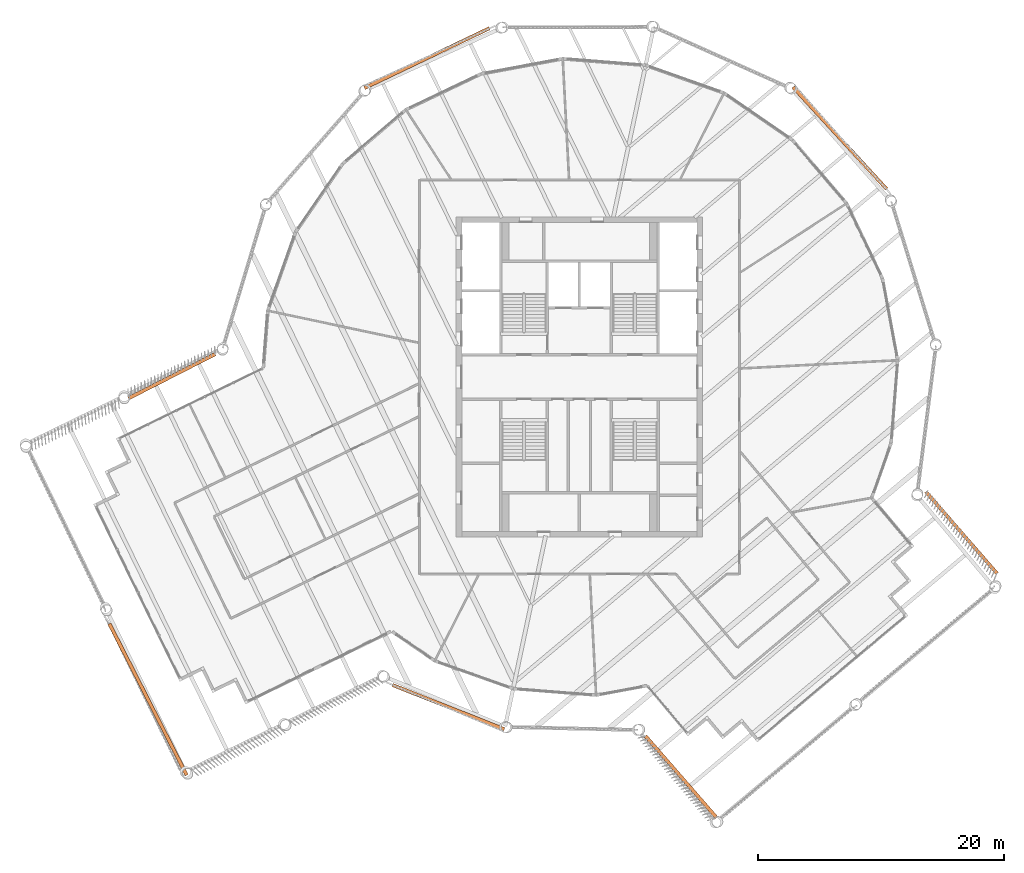
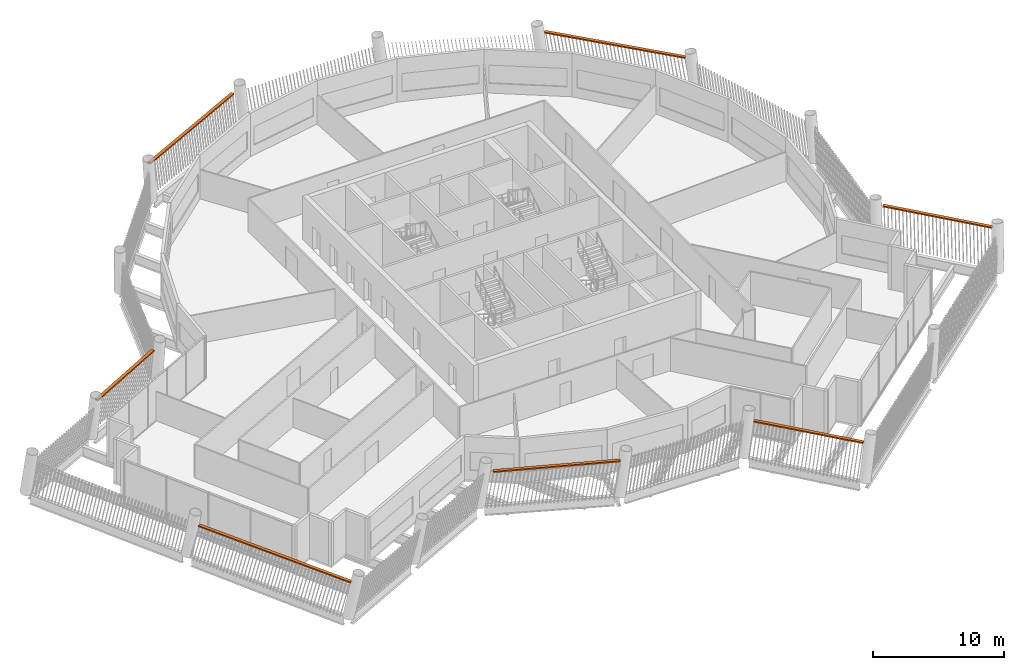
# One storey, part 31 of 31: 7 proxies.
"""IFC4 building model written with IfcOpenShell, lengths in metres."""

from ifc_helpers import new_model, si_unit, direction, frame, origin, origin_2d, place, context, subcontext, project, spatial, rectangle, extrude, material, type_object, element, save


model = new_model("IFC4")

# Units and contexts
model_context = context("Model", 3, precision=1e-05, world=origin(), true_north=direction((0.0, 1.0)))
body_context = subcontext(model_context, "Body", "Model", "MODEL_VIEW")
ifc_project = project(units=[si_unit("LENGTHUNIT", "METRE"), si_unit("AREAUNIT", "SQUARE_METRE"), si_unit("VOLUMEUNIT", "CUBIC_METRE"), si_unit("PLANEANGLEUNIT", "RADIAN"), si_unit("MASSUNIT", "GRAM", prefix="KILO")], contexts=[model_context])

# Site, building, storey
site_placement = place(None, origin())
site = spatial("IfcSite", under=ifc_project, at=site_placement, CompositionType="ELEMENT")
building_placement = place(site_placement, origin())
building = spatial("IfcBuilding", under=site, at=building_placement, Name="Tarsis Ring Headquarters", CompositionType="ELEMENT")
storey_placement = place(building_placement, frame((0.0, 0.0, 390.199951171875)))
storey = spatial("IfcBuildingStorey", under=building, at=storey_placement, Name="L92", CompositionType="ELEMENT", Elevation=390.199951171875)

# Proxies
ifc_material = material(Name="Structural steel S355", Category="steel")
building_element_proxy_type = type_object("IfcBuildingElementProxyType", Name="Screen bracket plate", PredefinedType="USERDEFINED", material=ifc_material)
for number, where, z_axis, x_axis, name in (
    (1, (8.24609375, -32.460693359375, 3.280517578125), (0.0, 0.0, 1.0), (0.656585768917, -0.754251369277, 0.0), "Screen bracket L92-01"),
    (2, (31.014892578125, -12.64013671875, 3.280517578125), (0.0, 0.0, 1.0), (-0.656585729425, 0.754251403655, 0.0), "Screen bracket L92-04"),
):
    element("IfcBuildingElementProxy", number, at=place(storey_placement, frame(where, z_axis=z_axis, x_axis=x_axis)), inside=storey, type_object=building_element_proxy_type, Name=name, ObjectType="Bracket", PredefinedType="USERDEFINED", context=body_context, shape_type="SweptSolid", body=[
        extrude(rectangle(XDim=8.804443359375, YDim=0.28271484375, at=origin_2d()), origin(), (0.0, 0.0, 1.0), 0.1201171875),
    ])
for number, where, z_axis, x_axis, name in (
    (3, (21.14306640625, 19.391845703125, 3.280517578125), (0.0, 0.0, 1.0), (-0.67592800956, 0.736967655934, 0.0), "Screen bracket L92-07"),
    (4, (-12.375244140625, 25.8828125, 3.280517578125), (0.0, 0.0, 1.0), (-0.902181101369, -0.431357462359, 0.0), "Screen bracket L92-10"),
):
    element("IfcBuildingElementProxy", number, at=place(storey_placement, frame(where, z_axis=z_axis, x_axis=x_axis)), inside=storey, type_object=building_element_proxy_type, Name=name, ObjectType="Bracket", PredefinedType="USERDEFINED", context=body_context, shape_type="SweptSolid", body=[
        extrude(rectangle(XDim=11.248779296875, YDim=0.28271484375, at=origin_2d()), origin(), (0.0, 0.0, 1.0), 0.1201171875),
    ])
proxy_1_placement = place(storey_placement, frame((-33.089599609375, 0.056884765625, 3.280517578125), z_axis=(0.0, 0.0, 1.0), x_axis=(-0.890689258773, -0.454612631045, 0.0)))
element("IfcBuildingElementProxy", 5, at=proxy_1_placement, inside=storey, type_object=building_element_proxy_type, Name="Screen bracket L92-13", ObjectType="Bracket", PredefinedType="USERDEFINED", context=body_context, shape_type="SweptSolid", body=[
    extrude(rectangle(XDim=7.90234375, YDim=0.28271484375, at=origin_2d()), origin(), (0.0, 0.0, 1.0), 0.1201171875),
])
proxy_2_placement = place(storey_placement, frame((-35.01904296875, -26.18212890625, 3.280517578125), z_axis=(0.0, 0.0, 1.0), x_axis=(0.4546124445, -0.890689353987, 0.0)))
element("IfcBuildingElementProxy", 6, at=proxy_2_placement, inside=storey, type_object=building_element_proxy_type, Name="Screen bracket L92-16", ObjectType="Bracket", PredefinedType="USERDEFINED", context=body_context, shape_type="SweptSolid", body=[
    extrude(rectangle(XDim=13.800048828125, YDim=0.28271484375, at=origin_2d()), origin(), (0.0, 0.0, 1.0), 0.1201171875),
])
proxy_3_placement = place(storey_placement, frame((-10.63720703125, -26.80517578125, 3.280517578125), z_axis=(0.0, 0.0, 1.0), x_axis=(0.929487164932, -0.368854456699, 0.0)))
element("IfcBuildingElementProxy", 7, at=proxy_3_placement, inside=storey, type_object=building_element_proxy_type, Name="Screen bracket L92-19", ObjectType="Bracket", PredefinedType="USERDEFINED", context=body_context, shape_type="SweptSolid", body=[
    extrude(rectangle(XDim=9.771728515625, YDim=0.28271484375, at=origin_2d()), origin(), (0.0, 0.0, 1.0), 0.1201171875),
])

save(model, "model.ifc")
